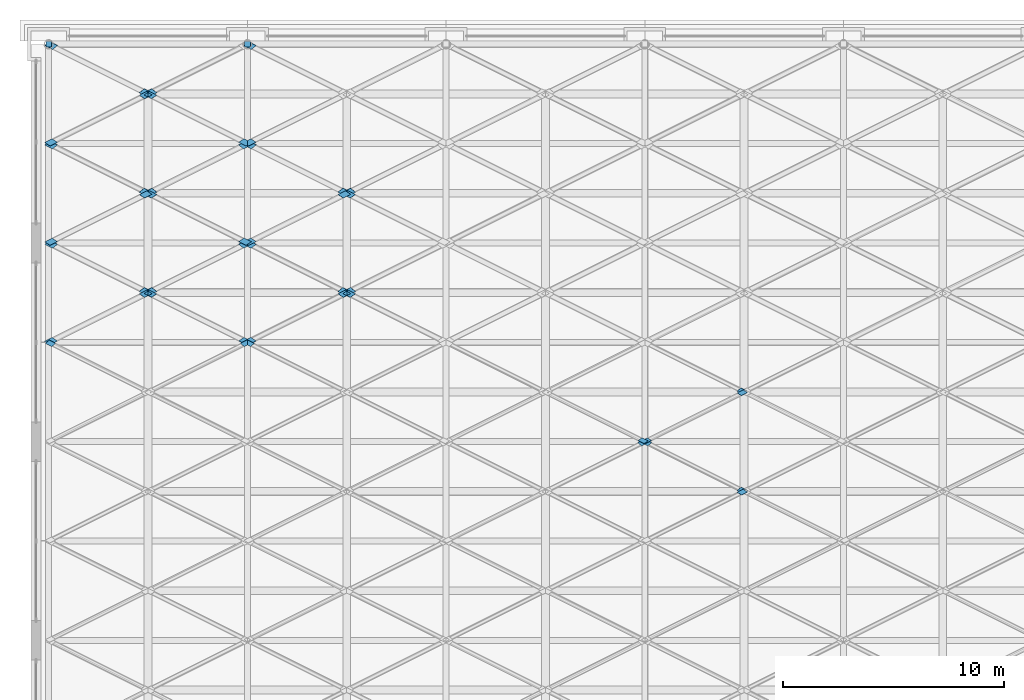
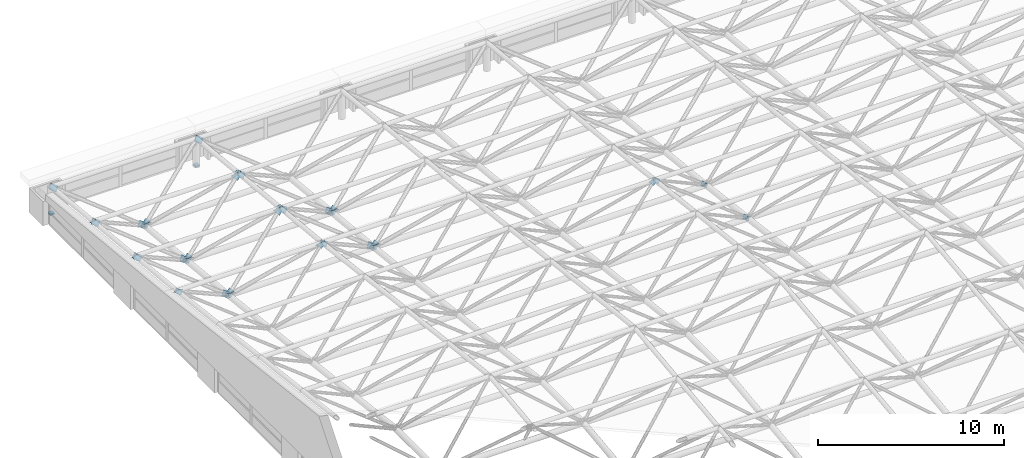
# One storey, part 37 of 53: 50 discrete accessories.
"""IFC4 building model written with IfcOpenShell, lengths in metres."""

from ifc_helpers import new_model, si_unit, direction, frame, origin, origin_2d, place, context, subcontext, project, spatial, polyline, rectangle, outline, extrude, material, layer, layer_set, type_object, element, save


model = new_model("IFC4")

# Units and contexts
model_context = context("Model", 3, precision=1e-05, world=origin(), true_north=direction((0.0, 1.0)))
body_context = subcontext(model_context, "Body", "Model", "MODEL_VIEW")
ifc_project = project(units=[si_unit("LENGTHUNIT", "METRE"), si_unit("AREAUNIT", "SQUARE_METRE"), si_unit("VOLUMEUNIT", "CUBIC_METRE"), si_unit("PLANEANGLEUNIT", "RADIAN"), si_unit("MASSUNIT", "GRAM", prefix="KILO")], contexts=[model_context])

# Site, building, storey
site_placement = place(None, origin())
site = spatial("IfcSite", under=ifc_project, at=site_placement, CompositionType="ELEMENT")
building_placement = place(site_placement, origin())
building = spatial("IfcBuilding", under=site, at=building_placement, Name="Aravalli Gate Trade Fair Centre", CompositionType="ELEMENT")
storey_placement = place(building_placement, frame((0.0, 0.0, 25.199951171875)))
storey = spatial("IfcBuildingStorey", under=building, at=storey_placement, Name="ROOF LEVEL 2", CompositionType="ELEMENT", Elevation=25.199951171875)

# Discrete accessories
ifc_material = material(Name="Steel E350", Category="steel")
discrete_accessory_type_1 = type_object("IfcDiscreteAccessoryType", Name="Bearing shoe sliding along the vault", PredefinedType="BRACKET", material=ifc_material)
for number, where, z_axis, x_axis, name in (
    (1, (6.0, 109.0, 0.0), (0.0, 0.0, 1.0), (1.0, 0.0, 0.0), "Bearing shoe H1 (sliding)"),
    (2, (15.0, 109.0, 0.0), (0.0, 0.0, 1.0), (1.0, 0.0, 0.0), "Bearing shoe H2 (sliding)"),
):
    element("IfcDiscreteAccessory", number, at=place(storey_placement, frame(where, z_axis=z_axis, x_axis=x_axis)), inside=storey, type_object=discrete_accessory_type_1, Name=name, PredefinedType="BRACKET", context=body_context, shape_type="SweptSolid", body=[
        extrude(rectangle(XDim=0.260009765625, YDim=0.260009765625, at=origin_2d()), origin(), (0.0, 0.0, 1.0), 0.10009765625),
    ])
ifc_layer_1 = layer(ifc_material, 0.011962890625)
ifc_layer_set_1 = layer_set([ifc_layer_1], Name="Steel E350")
discrete_accessory_type_2 = type_object("IfcDiscreteAccessoryType", Name="Gusset plate 291 x 291 x 12", PredefinedType="USERDEFINED", material=ifc_layer_set_1)
discrete_accessory_1_placement = place(storey_placement, frame((37.18603515625, 88.707763671875, 1.047119140625), z_axis=(-0.000356491483, 0.824386555112, 0.566027102411), x_axis=(0.749660046124, 0.374830119882, -0.545446786108)))
element("IfcDiscreteAccessory", 3, at=discrete_accessory_1_placement, inside=storey, type_object=discrete_accessory_type_2, Name="Gusset plate Space frame web diagonal D5A end B", ObjectType="GUSSET PLATE", PredefinedType="USERDEFINED", context=body_context, shape_type="SweptSolid", body=[
    extrude(outline(polyline([(0.0, 0.0), (0.37061069570280314, 0.0), (0.3704262257769532, -0.2905262593825685), (-1.4474536517566916e-06, -0.29068783726431885), (0.0, 0.0)])), origin(), (0.0, 0.0, -1.0), 0.011962890625),
])
discrete_accessory_2_placement = place(storey_placement, frame((33.12158203125, 91.175537109375, 3.455078125), z_axis=(-5.9235462e-05, 0.824355565608, 0.566072343383), x_axis=(-0.74910175115, -0.37503400761, 0.546073309694)))
element("IfcDiscreteAccessory", 4, at=discrete_accessory_2_placement, inside=storey, type_object=discrete_accessory_type_2, Name="Gusset plate Space frame web diagonal D5A end A", ObjectType="GUSSET PLATE", PredefinedType="USERDEFINED", context=body_context, shape_type="SweptSolid", body=[
    extrude(outline(polyline([(0.0, 0.0), (0.37056099002046733, 1.3877787807814457e-17), (0.3708571273038952, 0.29037522366126584), (0.00024656979283793623, 0.29068772448272373), (0.0, 0.0)])), origin(), (0.0, 0.0, -1.0), 0.011962890625),
])
discrete_accessory_3_placement = place(storey_placement, frame((37.18603515625, 93.207763671875, 0.4970703125), z_axis=(-0.000338926475, 0.824215745649, 0.566275807141), x_axis=(0.749929468437, 0.374811008577, -0.545089442403)))
element("IfcDiscreteAccessory", 5, at=discrete_accessory_3_placement, inside=storey, type_object=discrete_accessory_type_2, Name="Gusset plate Space frame web diagonal D5A end B", ObjectType="GUSSET PLATE", PredefinedType="USERDEFINED", context=body_context, shape_type="SweptSolid", body=[
    extrude(outline(polyline([(0.0, 0.0), (0.3704775800363668, -1.3877787807814457e-17), (0.37054452148215117, -0.29037536695413646), (0.00011695121776518491, -0.29068780553250784), (0.0, 0.0)])), origin(), (0.0, 0.0, -1.0), 0.011962890625),
])
discrete_accessory_4_placement = place(storey_placement, frame((32.68603515625, 91.05224609375, 3.634765625), z_axis=(5.9235462e-05, 0.824355565608, 0.566072343383), x_axis=(0.749660070237, -0.374676343996, 0.545552395598)))
element("IfcDiscreteAccessory", 6, at=discrete_accessory_4_placement, inside=storey, type_object=discrete_accessory_type_2, Name="Gusset plate Space frame web diagonal D5B end A", ObjectType="GUSSET PLATE", PredefinedType="USERDEFINED", context=body_context, shape_type="SweptSolid", body=[
    extrude(outline(polyline([(0.0, 0.0), (0.3706106892622231, 1.3877787807814457e-17), (0.3705593979521325, 0.2903753701380719), (-1.4603348369723879e-06, 0.29068782905287593), (0.0, 0.0)])), origin(), (0.0, 0.0, -1.0), 0.011962890625),
])
discrete_accessory_5_placement = place(storey_placement, frame((33.138916015625, 90.808349609375, 3.477294921875), z_axis=(-6.9765199e-05, -0.771154883137, 0.636647580178), x_axis=(-0.786484474244, 0.393242254842, 0.476238071536)))
element("IfcDiscreteAccessory", 7, at=discrete_accessory_5_placement, inside=storey, type_object=discrete_accessory_type_2, Name="Gusset plate Space frame web diagonal D5C end A", ObjectType="GUSSET PLATE", PredefinedType="USERDEFINED", context=body_context, shape_type="SweptSolid", body=[
    extrude(outline(polyline([(0.0, 0.0), (0.37064165383501635, 1.3877787807814457e-17), (0.3706783195979393, -0.29059144692340316), (0.00022867857401766278, -0.2904406632211646), (0.0, 0.0)])), origin(), (0.0, 0.0, -1.0), 0.011962890625),
])
discrete_accessory_6_placement = place(storey_placement, frame((37.181884765625, 88.786865234375, 1.029052734375), z_axis=(-6.9765199e-05, -0.771154883137, 0.636647580178), x_axis=(0.786233023991, -0.393446013556, -0.476484906794)))
element("IfcDiscreteAccessory", 8, at=discrete_accessory_6_placement, inside=storey, type_object=discrete_accessory_type_2, Name="Gusset plate Space frame web diagonal D5C end B", ObjectType="GUSSET PLATE", PredefinedType="USERDEFINED", context=body_context, shape_type="SweptSolid", body=[
    extrude(outline(polyline([(0.0, 0.0), (0.37044967171058096, 2.7755575615628914e-17), (0.3702947268495056, 0.290591407927876), (-0.0003468962829482891, 0.29044054608337494), (0.0, 0.0)])), origin(), (0.0, 0.0, -1.0), 0.011962890625),
])
for number, where, z_axis, x_axis, name in (
    (9, (6.138916015625, 95.308349609375, 2.92724609375), (-6.9765199e-05, -0.771154883137, 0.636647580178), (-0.786484474244, 0.393242254842, 0.476238071536), "Gusset plate Space frame web diagonal D5C end A"),
    (10, (15.138916015625, 95.308349609375, 2.92724609375), (-6.9765199e-05, -0.771154883137, 0.636647580178), (-0.786484474244, 0.393242254842, 0.476238071536), "Gusset plate Space frame web diagonal D5C end A"),
):
    element("IfcDiscreteAccessory", number, at=place(storey_placement, frame(where, z_axis=z_axis, x_axis=x_axis)), inside=storey, type_object=discrete_accessory_type_2, Name=name, ObjectType="GUSSET PLATE", PredefinedType="USERDEFINED", context=body_context, shape_type="SweptSolid", body=[
        extrude(outline(polyline([(0.0, 0.0), (0.37064165383501635, 1.3877787807814457e-17), (0.3706783195979393, -0.29059144692340316), (0.00022867857401766278, -0.2904406632211646), (0.0, 0.0)])), origin(), (0.0, 0.0, -1.0), 0.011962890625),
    ])
discrete_accessory_7_placement = place(storey_placement, frame((37.181884765625, 93.286865234375, 0.479248046875), z_axis=(0.000260921892, -0.770886805608, 0.636972106814), x_axis=(0.786233024012, -0.393446097564, -0.476484837392)))
element("IfcDiscreteAccessory", 11, at=discrete_accessory_7_placement, inside=storey, type_object=discrete_accessory_type_2, Name="Gusset plate Space frame web diagonal D5C end B", ObjectType="GUSSET PLATE", PredefinedType="USERDEFINED", context=body_context, shape_type="SweptSolid", body=[
    extrude(outline(polyline([(0.0, 0.0), (0.3704496717105797, 1.3877787807814457e-17), (0.37041105616888137, 0.29044341854454775), (-0.00023056696357631745, 0.2902925567125407), (0.0, 0.0)])), origin(), (0.0, 0.0, -1.0), 0.011962890625),
])
for number, where, z_axis, x_axis, name in (
    (12, (32.681884765625, 90.953857421875, 3.653564453125), (6.9765199e-05, -0.771154883137, 0.636647580178), (0.786233023991, 0.393446013556, 0.476484906794), "Gusset plate Space frame web diagonal D5D end A"),
    (13, (14.681884765625, 95.453857421875, 3.103515625), (6.9765199e-05, -0.771154883137, 0.636647580178), (0.786233023991, 0.393446013556, 0.476484906794), "Gusset plate Space frame web diagonal D5D end A"),
):
    element("IfcDiscreteAccessory", number, at=place(storey_placement, frame(where, z_axis=z_axis, x_axis=x_axis)), inside=storey, type_object=discrete_accessory_type_2, Name=name, ObjectType="GUSSET PLATE", PredefinedType="USERDEFINED", context=body_context, shape_type="SweptSolid", body=[
        extrude(outline(polyline([(0.0, 0.0), (0.37044967171058096, -2.7755575615628914e-17), (0.3702947268495056, -0.290591407927876), (-0.0003468962829482891, -0.29044054608337494), (0.0, 0.0)])), origin(), (0.0, 0.0, -1.0), 0.011962890625),
    ])
ifc_layer_2 = layer(ifc_material, 0.011962890625)
ifc_layer_set_2 = layer_set([ifc_layer_2], Name="Steel E350")
discrete_accessory_type_3 = type_object("IfcDiscreteAccessoryType", Name="Gusset plate 367 x 367 x 12", PredefinedType="USERDEFINED", material=ifc_layer_set_2)
discrete_accessory_8_placement = place(storey_placement, frame((6.155517578125, 95.721923828125, 2.84228515625), z_axis=(-5.6748583e-05, 0.820281851296, 0.571959510117), x_axis=(-0.752910033129, -0.376455016564, 0.539822287904)))
element("IfcDiscreteAccessory", 14, at=discrete_accessory_8_placement, inside=storey, type_object=discrete_accessory_type_3, Name="Gusset plate Space frame web diagonal D6A end A", ObjectType="GUSSET PLATE", PredefinedType="USERDEFINED", context=body_context, shape_type="SweptSolid", body=[
    extrude(outline(polyline([(0.0, 0.0), (0.44683397278152426, -2.7755575615628914e-17), (0.44699177701993154, 0.3666937395408909), (0.0001578042384072914, 0.3666937395408909), (0.0, 0.0)])), origin(), (0.0, 0.0, -1.0), 0.011962890625),
])
discrete_accessory_9_placement = place(storey_placement, frame((10.103271484375, 97.69580078125, 0.01318359375), z_axis=(-5.6748583e-05, 0.820281851296, 0.571959510117), x_axis=(0.752910033129, 0.376455016564, -0.539822287904)))
element("IfcDiscreteAccessory", 15, at=discrete_accessory_9_placement, inside=storey, type_object=discrete_accessory_type_3, Name="Gusset plate Space frame web diagonal D6A end B", ObjectType="GUSSET PLATE", PredefinedType="USERDEFINED", context=body_context, shape_type="SweptSolid", body=[
    extrude(outline(polyline([(0.0, 0.0), (0.44683397278152426, -2.7755575615628914e-17), (0.446676168543117, -0.36669373954089096), (-0.0001578042384072914, -0.3666937395408909), (0.0, 0.0)])), origin(), (0.0, 0.0, -1.0), 0.011962890625),
])
discrete_accessory_10_placement = place(storey_placement, frame((15.155517578125, 95.721923828125, 2.84228515625), z_axis=(-5.6748583e-05, 0.820281851296, 0.571959510117), x_axis=(-0.752910033129, -0.376455016564, 0.539822287904)))
element("IfcDiscreteAccessory", 16, at=discrete_accessory_10_placement, inside=storey, type_object=discrete_accessory_type_3, Name="Gusset plate Space frame web diagonal D6A end A", ObjectType="GUSSET PLATE", PredefinedType="USERDEFINED", context=body_context, shape_type="SweptSolid", body=[
    extrude(outline(polyline([(0.0, 0.0), (0.44683397278152426, -2.7755575615628914e-17), (0.44699177701993154, 0.3666937395408909), (0.0001578042384072914, 0.3666937395408909), (0.0, 0.0)])), origin(), (0.0, 0.0, -1.0), 0.011962890625),
])
discrete_accessory_11_placement = place(storey_placement, frame((19.103271484375, 97.69580078125, 0.01318359375), z_axis=(-5.6748583e-05, 0.820281851296, 0.571959510117), x_axis=(0.752910033129, 0.376455016564, -0.539822287904)))
element("IfcDiscreteAccessory", 17, at=discrete_accessory_11_placement, inside=storey, type_object=discrete_accessory_type_3, Name="Gusset plate Space frame web diagonal D6A end B", ObjectType="GUSSET PLATE", PredefinedType="USERDEFINED", context=body_context, shape_type="SweptSolid", body=[
    extrude(outline(polyline([(0.0, 0.0), (0.44683397278152426, -2.7755575615628914e-17), (0.446676168543117, -0.36669373954089096), (-0.0001578042384072914, -0.3666937395408909), (0.0, 0.0)])), origin(), (0.0, 0.0, -1.0), 0.011962890625),
])
discrete_accessory_12_placement = place(storey_placement, frame((6.155517578125, 100.221923828125, 2.392333984375), z_axis=(-4.9126691e-05, 0.820140995503, 0.572161467667), x_axis=(-0.752910034648, -0.376583216139, 0.539732860821)))
element("IfcDiscreteAccessory", 18, at=discrete_accessory_12_placement, inside=storey, type_object=discrete_accessory_type_3, Name="Gusset plate Space frame web diagonal D6A end A", ObjectType="GUSSET PLATE", PredefinedType="USERDEFINED", context=body_context, shape_type="SweptSolid", body=[
    extrude(outline(polyline([(0.0, 0.0), (0.4468339673229258, 0.0), (0.4468599899280901, 0.36654297340046177), (0.00015779332313807515, 0.366693732894023), (0.0, 0.0)])), origin(), (0.0, 0.0, -1.0), 0.011962890625),
])
discrete_accessory_13_placement = place(storey_placement, frame((10.103271484375, 102.19580078125, -0.436767578125), z_axis=(-4.9126691e-05, 0.820140995503, 0.572161467667), x_axis=(0.752910034648, 0.376583216139, -0.539732860821)))
element("IfcDiscreteAccessory", 19, at=discrete_accessory_13_placement, inside=storey, type_object=discrete_accessory_type_3, Name="Gusset plate Space frame web diagonal D6A end B", ObjectType="GUSSET PLATE", PredefinedType="USERDEFINED", context=body_context, shape_type="SweptSolid", body=[
    extrude(outline(polyline([(0.0, 0.0), (0.4468339673229258, 0.0), (0.44667617399978776, -0.366693732894023), (-2.6022605164321977e-05, -0.3665429734004617), (0.0, 0.0)])), origin(), (0.0, 0.0, -1.0), 0.011962890625),
])
discrete_accessory_14_placement = place(storey_placement, frame((15.155517578125, 100.221923828125, 2.392333984375), z_axis=(-4.9126691e-05, 0.820140995503, 0.572161467667), x_axis=(-0.752910034648, -0.376583216139, 0.539732860821)))
element("IfcDiscreteAccessory", 20, at=discrete_accessory_14_placement, inside=storey, type_object=discrete_accessory_type_3, Name="Gusset plate Space frame web diagonal D6A end A", ObjectType="GUSSET PLATE", PredefinedType="USERDEFINED", context=body_context, shape_type="SweptSolid", body=[
    extrude(outline(polyline([(0.0, 0.0), (0.4468339673229258, 0.0), (0.4468599899280901, 0.36654297340046177), (0.00015779332313807515, 0.366693732894023), (0.0, 0.0)])), origin(), (0.0, 0.0, -1.0), 0.011962890625),
])
discrete_accessory_15_placement = place(storey_placement, frame((19.103271484375, 102.19580078125, -0.436767578125), z_axis=(-4.9126691e-05, 0.820140995503, 0.572161467667), x_axis=(0.752910034648, 0.376583216139, -0.539732860821)))
element("IfcDiscreteAccessory", 21, at=discrete_accessory_15_placement, inside=storey, type_object=discrete_accessory_type_3, Name="Gusset plate Space frame web diagonal D6A end B", ObjectType="GUSSET PLATE", PredefinedType="USERDEFINED", context=body_context, shape_type="SweptSolid", body=[
    extrude(outline(polyline([(0.0, 0.0), (0.4468339673229258, 0.0), (0.44667617399978776, -0.366693732894023), (-2.6022605164321977e-05, -0.3665429734004617), (0.0, 0.0)])), origin(), (0.0, 0.0, -1.0), 0.011962890625),
])
discrete_accessory_16_placement = place(storey_placement, frame((6.155517578125, 104.721923828125, 1.9423828125), z_axis=(-0.000292195819, 0.820164189793, 0.572128146837), x_axis=(-0.753132087854, -0.376566043927, 0.539434956975)))
element("IfcDiscreteAccessory", 22, at=discrete_accessory_16_placement, inside=storey, type_object=discrete_accessory_type_3, Name="Gusset plate Space frame web diagonal D6A end A", ObjectType="GUSSET PLATE", PredefinedType="USERDEFINED", context=body_context, shape_type="SweptSolid", body=[
    extrude(outline(polyline([(0.0, 0.0), (0.4467022275054028, 2.7755575615628914e-17), (0.4467362528213333, 0.36669377191730207), (3.402531593046931e-05, 0.366693771917302), (0.0, 0.0)])), origin(), (0.0, 0.0, -1.0), 0.011962890625),
])
discrete_accessory_17_placement = place(storey_placement, frame((10.103271484375, 106.69580078125, -0.886962890625), z_axis=(-0.000292195819, 0.820164189793, 0.572128146837), x_axis=(0.753132087854, 0.376566043927, -0.539434956975)))
element("IfcDiscreteAccessory", 23, at=discrete_accessory_17_placement, inside=storey, type_object=discrete_accessory_type_3, Name="Gusset plate Space frame web diagonal D6A end B", ObjectType="GUSSET PLATE", PredefinedType="USERDEFINED", context=body_context, shape_type="SweptSolid", body=[
    extrude(outline(polyline([(0.0, 0.0), (0.4467022275054028, 2.7755575615628914e-17), (0.4466682021894723, -0.366693771917302), (-3.402531593046931e-05, -0.366693771917302), (0.0, 0.0)])), origin(), (0.0, 0.0, -1.0), 0.011962890625),
])
discrete_accessory_18_placement = place(storey_placement, frame((15.155517578125, 104.721923828125, 1.9423828125), z_axis=(-0.000292195819, 0.820164189793, 0.572128146837), x_axis=(-0.753132087854, -0.376566043927, 0.539434956975)))
element("IfcDiscreteAccessory", 24, at=discrete_accessory_18_placement, inside=storey, type_object=discrete_accessory_type_3, Name="Gusset plate Space frame web diagonal D6A end A", ObjectType="GUSSET PLATE", PredefinedType="USERDEFINED", context=body_context, shape_type="SweptSolid", body=[
    extrude(outline(polyline([(0.0, 0.0), (0.4467022275054028, 2.7755575615628914e-17), (0.4467362528213333, 0.36669377191730207), (3.402531593046931e-05, 0.366693771917302), (0.0, 0.0)])), origin(), (0.0, 0.0, -1.0), 0.011962890625),
])
discrete_accessory_19_placement = place(storey_placement, frame((14.603271484375, 95.56396484375, 3.06884765625), z_axis=(5.6748583e-05, 0.820281851296, 0.571959510117), x_axis=(0.752910033129, -0.376455016564, 0.539822287904)))
element("IfcDiscreteAccessory", 25, at=discrete_accessory_19_placement, inside=storey, type_object=discrete_accessory_type_3, Name="Gusset plate Space frame web diagonal D6B end A", ObjectType="GUSSET PLATE", PredefinedType="USERDEFINED", context=body_context, shape_type="SweptSolid", body=[
    extrude(outline(polyline([(0.0, 0.0), (0.44683397278152426, 2.7755575615628914e-17), (0.446676168543117, 0.36669373954089096), (-0.0001578042384072914, 0.3666937395408909), (0.0, 0.0)])), origin(), (0.0, 0.0, -1.0), 0.011962890625),
])
for number, where, z_axis, x_axis, name in (
    (26, (10.655517578125, 97.537841796875, 0.23974609375), (5.6748583e-05, 0.820281851296, 0.571959510117), (-0.752910033129, 0.376455016564, -0.539822287904), "Gusset plate Space frame web diagonal D6B end B"),
    (27, (19.655517578125, 97.537841796875, 0.23974609375), (5.6748583e-05, 0.820281851296, 0.571959510117), (-0.752910033129, 0.376455016564, -0.539822287904), "Gusset plate Space frame web diagonal D6B end B"),
):
    element("IfcDiscreteAccessory", number, at=place(storey_placement, frame(where, z_axis=z_axis, x_axis=x_axis)), inside=storey, type_object=discrete_accessory_type_3, Name=name, ObjectType="GUSSET PLATE", PredefinedType="USERDEFINED", context=body_context, shape_type="SweptSolid", body=[
        extrude(outline(polyline([(0.0, 0.0), (0.44683397278152426, 2.7755575615628914e-17), (0.44699177701993154, -0.3666937395408909), (0.0001578042384072914, -0.3666937395408909), (0.0, 0.0)])), origin(), (0.0, 0.0, -1.0), 0.011962890625),
    ])
discrete_accessory_20_placement = place(storey_placement, frame((14.603271484375, 100.06396484375, 2.618896484375), z_axis=(4.9126691e-05, 0.820140995503, 0.572161467667), x_axis=(0.753132104741, -0.376437815746, 0.539524423623)))
element("IfcDiscreteAccessory", 28, at=discrete_accessory_20_placement, inside=storey, type_object=discrete_accessory_type_3, Name="Gusset plate Space frame web diagonal D6B end A", ObjectType="GUSSET PLATE", PredefinedType="USERDEFINED", context=body_context, shape_type="SweptSolid", body=[
    extrude(outline(polyline([(0.0, 0.0), (0.4467022220451944, 0.0), (0.44679990563841726, 0.3665429613078707), (-3.4036236763179684e-05, 0.3666937652647241), (0.0, 0.0)])), origin(), (0.0, 0.0, -1.0), 0.011962890625),
])
for number, where, z_axis, x_axis, name in (
    (29, (10.655517578125, 102.037841796875, -0.21044921875), (4.9126691e-05, 0.820140995503, 0.572161467667), (-0.753132104741, 0.376437815746, -0.539524423623), "Gusset plate Space frame web diagonal D6B end B"),
    (30, (19.655517578125, 102.037841796875, -0.21044921875), (4.9126691e-05, 0.820140995503, 0.572161467667), (-0.753132104741, 0.376437815746, -0.539524423623), "Gusset plate Space frame web diagonal D6B end B"),
):
    element("IfcDiscreteAccessory", number, at=place(storey_placement, frame(where, z_axis=z_axis, x_axis=x_axis)), inside=storey, type_object=discrete_accessory_type_3, Name=name, ObjectType="GUSSET PLATE", PredefinedType="USERDEFINED", context=body_context, shape_type="SweptSolid", body=[
        extrude(outline(polyline([(0.0, 0.0), (0.4467022220451944, 0.0), (0.44673625828195757, -0.3666937652647241), (-9.768359322287479e-05, -0.3665429613078708), (0.0, 0.0)])), origin(), (0.0, 0.0, -1.0), 0.011962890625),
    ])
discrete_accessory_21_placement = place(storey_placement, frame((14.603271484375, 104.56396484375, 2.1689453125), z_axis=(0.000292195819, 0.820164189793, 0.572128146837), x_axis=(0.753132087854, -0.376566043927, 0.539434956975)))
element("IfcDiscreteAccessory", 31, at=discrete_accessory_21_placement, inside=storey, type_object=discrete_accessory_type_3, Name="Gusset plate Space frame web diagonal D6B end A", ObjectType="GUSSET PLATE", PredefinedType="USERDEFINED", context=body_context, shape_type="SweptSolid", body=[
    extrude(outline(polyline([(0.0, 0.0), (0.4467022275054028, -2.7755575615628914e-17), (0.4466682021894723, 0.366693771917302), (-3.402531593046931e-05, 0.366693771917302), (0.0, 0.0)])), origin(), (0.0, 0.0, -1.0), 0.011962890625),
])
discrete_accessory_22_placement = place(storey_placement, frame((10.655517578125, 106.537841796875, -0.660400390625), z_axis=(0.000292195819, 0.820164189793, 0.572128146837), x_axis=(-0.753132087854, 0.376566043927, -0.539434956975)))
element("IfcDiscreteAccessory", 32, at=discrete_accessory_22_placement, inside=storey, type_object=discrete_accessory_type_3, Name="Gusset plate Space frame web diagonal D6B end B", ObjectType="GUSSET PLATE", PredefinedType="USERDEFINED", context=body_context, shape_type="SweptSolid", body=[
    extrude(outline(polyline([(0.0, 0.0), (0.4467022275054028, -2.7755575615628914e-17), (0.4467362528213333, -0.36669377191730207), (3.402531593046931e-05, -0.366693771917302), (0.0, 0.0)])), origin(), (0.0, 0.0, -1.0), 0.011962890625),
])
discrete_accessory_23_placement = place(storey_placement, frame((6.173095703125, 99.76123046875, 2.4150390625), z_axis=(-0.000106895173, -0.77673595722, 0.629826358082), x_axis=(-0.783044443413, 0.391795440284, 0.483050445204)))
element("IfcDiscreteAccessory", 33, at=discrete_accessory_23_placement, inside=storey, type_object=discrete_accessory_type_3, Name="Gusset plate Space frame web diagonal D6C end A", ObjectType="GUSSET PLATE", PredefinedType="USERDEFINED", context=body_context, shape_type="SweptSolid", body=[
    extrude(outline(polyline([(0.0, 0.0), (0.4467862821424865, 0.0), (0.4467086389724838, -0.36691841645657763), (-7.764317000273635e-05, -0.36691841645657763), (0.0, 0.0)])), origin(), (0.0, 0.0, -1.0), 0.011962890625),
])
discrete_accessory_24_placement = place(storey_placement, frame((10.0986328125, 97.798583984375, -0.005615234375), z_axis=(-0.000106895173, -0.77673595722, 0.629826358082), x_axis=(0.783044443413, -0.391795440284, -0.483050445204)))
element("IfcDiscreteAccessory", 34, at=discrete_accessory_24_placement, inside=storey, type_object=discrete_accessory_type_3, Name="Gusset plate Space frame web diagonal D6C end B", ObjectType="GUSSET PLATE", PredefinedType="USERDEFINED", context=body_context, shape_type="SweptSolid", body=[
    extrude(outline(polyline([(0.0, 0.0), (0.4467862821424865, 0.0), (0.4468639253124893, 0.3669184164565776), (7.764317000273635e-05, 0.36691841645657763), (0.0, 0.0)])), origin(), (0.0, 0.0, -1.0), 0.011962890625),
])
discrete_accessory_25_placement = place(storey_placement, frame((15.173095703125, 99.76123046875, 2.4150390625), z_axis=(-0.000106895173, -0.77673595722, 0.629826358082), x_axis=(-0.783044443413, 0.391795440284, 0.483050445204)))
element("IfcDiscreteAccessory", 35, at=discrete_accessory_25_placement, inside=storey, type_object=discrete_accessory_type_3, Name="Gusset plate Space frame web diagonal D6C end A", ObjectType="GUSSET PLATE", PredefinedType="USERDEFINED", context=body_context, shape_type="SweptSolid", body=[
    extrude(outline(polyline([(0.0, 0.0), (0.4467862821424865, 0.0), (0.4467086389724838, -0.36691841645657763), (-7.764317000273635e-05, -0.36691841645657763), (0.0, 0.0)])), origin(), (0.0, 0.0, -1.0), 0.011962890625),
])
discrete_accessory_26_placement = place(storey_placement, frame((19.0986328125, 97.798583984375, -0.005615234375), z_axis=(-0.000106895173, -0.77673595722, 0.629826358082), x_axis=(0.783044443413, -0.391795440284, -0.483050445204)))
element("IfcDiscreteAccessory", 36, at=discrete_accessory_26_placement, inside=storey, type_object=discrete_accessory_type_3, Name="Gusset plate Space frame web diagonal D6C end B", ObjectType="GUSSET PLATE", PredefinedType="USERDEFINED", context=body_context, shape_type="SweptSolid", body=[
    extrude(outline(polyline([(0.0, 0.0), (0.4467862821424865, 0.0), (0.4468639253124893, 0.3669184164565776), (7.764317000273635e-05, 0.36691841645657763), (0.0, 0.0)])), origin(), (0.0, 0.0, -1.0), 0.011962890625),
])
discrete_accessory_27_placement = place(storey_placement, frame((6.173095703125, 104.26123046875, 1.965087890625), z_axis=(-0.000106895173, -0.77673595722, 0.629826358082), x_axis=(-0.783044443413, 0.391795440284, 0.483050445204)))
element("IfcDiscreteAccessory", 37, at=discrete_accessory_27_placement, inside=storey, type_object=discrete_accessory_type_3, Name="Gusset plate Space frame web diagonal D6C end A", ObjectType="GUSSET PLATE", PredefinedType="USERDEFINED", context=body_context, shape_type="SweptSolid", body=[
    extrude(outline(polyline([(0.0, 0.0), (0.4467862821424865, 0.0), (0.4467086389724838, -0.36691841645657763), (-7.764317000273635e-05, -0.36691841645657763), (0.0, 0.0)])), origin(), (0.0, 0.0, -1.0), 0.011962890625),
])
discrete_accessory_28_placement = place(storey_placement, frame((10.0986328125, 102.298583984375, -0.45556640625), z_axis=(-0.000106895173, -0.77673595722, 0.629826358082), x_axis=(0.783044443413, -0.391795440284, -0.483050445204)))
element("IfcDiscreteAccessory", 38, at=discrete_accessory_28_placement, inside=storey, type_object=discrete_accessory_type_3, Name="Gusset plate Space frame web diagonal D6C end B", ObjectType="GUSSET PLATE", PredefinedType="USERDEFINED", context=body_context, shape_type="SweptSolid", body=[
    extrude(outline(polyline([(0.0, 0.0), (0.4467862821424865, 0.0), (0.4468639253124893, 0.3669184164565776), (7.764317000273635e-05, 0.36691841645657763), (0.0, 0.0)])), origin(), (0.0, 0.0, -1.0), 0.011962890625),
])
discrete_accessory_29_placement = place(storey_placement, frame((15.173095703125, 104.26123046875, 1.965087890625), z_axis=(-0.000106895173, -0.77673595722, 0.629826358082), x_axis=(-0.783044443413, 0.391795440284, 0.483050445204)))
element("IfcDiscreteAccessory", 39, at=discrete_accessory_29_placement, inside=storey, type_object=discrete_accessory_type_3, Name="Gusset plate Space frame web diagonal D6C end A", ObjectType="GUSSET PLATE", PredefinedType="USERDEFINED", context=body_context, shape_type="SweptSolid", body=[
    extrude(outline(polyline([(0.0, 0.0), (0.4467862821424865, 0.0), (0.4467086389724838, -0.36691841645657763), (-7.764317000273635e-05, -0.36691841645657763), (0.0, 0.0)])), origin(), (0.0, 0.0, -1.0), 0.011962890625),
])
discrete_accessory_30_placement = place(storey_placement, frame((19.0986328125, 102.298583984375, -0.45556640625), z_axis=(-0.000106895173, -0.77673595722, 0.629826358082), x_axis=(0.783044443413, -0.391795440284, -0.483050445204)))
element("IfcDiscreteAccessory", 40, at=discrete_accessory_30_placement, inside=storey, type_object=discrete_accessory_type_3, Name="Gusset plate Space frame web diagonal D6C end B", ObjectType="GUSSET PLATE", PredefinedType="USERDEFINED", context=body_context, shape_type="SweptSolid", body=[
    extrude(outline(polyline([(0.0, 0.0), (0.4467862821424865, 0.0), (0.4468639253124893, 0.3669184164565776), (7.764317000273635e-05, 0.36691841645657763), (0.0, 0.0)])), origin(), (0.0, 0.0, -1.0), 0.011962890625),
])
discrete_accessory_31_placement = place(storey_placement, frame((6.173095703125, 108.76123046875, 1.51513671875), z_axis=(-0.000106895173, -0.77673595722, 0.629826358082), x_axis=(-0.783044443413, 0.391795440284, 0.483050445204)))
element("IfcDiscreteAccessory", 41, at=discrete_accessory_31_placement, inside=storey, type_object=discrete_accessory_type_3, Name="Gusset plate Space frame web diagonal D6C end A", ObjectType="GUSSET PLATE", PredefinedType="USERDEFINED", context=body_context, shape_type="SweptSolid", body=[
    extrude(outline(polyline([(0.0, 0.0), (0.4467862821424865, 0.0), (0.4467086389724838, -0.36691841645657763), (-7.764317000273635e-05, -0.36691841645657763), (0.0, 0.0)])), origin(), (0.0, 0.0, -1.0), 0.011962890625),
])
discrete_accessory_32_placement = place(storey_placement, frame((10.0986328125, 106.798583984375, -0.905517578125), z_axis=(-0.000106895173, -0.77673595722, 0.629826358082), x_axis=(0.783044443413, -0.391795440284, -0.483050445204)))
element("IfcDiscreteAccessory", 42, at=discrete_accessory_32_placement, inside=storey, type_object=discrete_accessory_type_3, Name="Gusset plate Space frame web diagonal D6C end B", ObjectType="GUSSET PLATE", PredefinedType="USERDEFINED", context=body_context, shape_type="SweptSolid", body=[
    extrude(outline(polyline([(0.0, 0.0), (0.4467862821424865, 0.0), (0.4468639253124893, 0.3669184164565776), (7.764317000273635e-05, 0.36691841645657763), (0.0, 0.0)])), origin(), (0.0, 0.0, -1.0), 0.011962890625),
])
discrete_accessory_33_placement = place(storey_placement, frame((15.173095703125, 108.76123046875, 1.51513671875), z_axis=(-0.000106895173, -0.77673595722, 0.629826358082), x_axis=(-0.783044443413, 0.391795440284, 0.483050445204)))
element("IfcDiscreteAccessory", 43, at=discrete_accessory_33_placement, inside=storey, type_object=discrete_accessory_type_3, Name="Gusset plate Space frame web diagonal D6C end A", ObjectType="GUSSET PLATE", PredefinedType="USERDEFINED", context=body_context, shape_type="SweptSolid", body=[
    extrude(outline(polyline([(0.0, 0.0), (0.4467862821424865, 0.0), (0.4467086389724838, -0.36691841645657763), (-7.764317000273635e-05, -0.36691841645657763), (0.0, 0.0)])), origin(), (0.0, 0.0, -1.0), 0.011962890625),
])
discrete_accessory_34_placement = place(storey_placement, frame((14.5986328125, 99.942138671875, 2.63818359375), z_axis=(0.000106895173, -0.77673595722, 0.629826358082), x_axis=(0.783044443413, 0.391795440284, 0.483050445204)))
element("IfcDiscreteAccessory", 44, at=discrete_accessory_34_placement, inside=storey, type_object=discrete_accessory_type_3, Name="Gusset plate Space frame web diagonal D6D end A", ObjectType="GUSSET PLATE", PredefinedType="USERDEFINED", context=body_context, shape_type="SweptSolid", body=[
    extrude(outline(polyline([(0.0, 0.0), (0.4467862821424865, 0.0), (0.4468639253124893, -0.3669184164565776), (7.764317000273635e-05, -0.36691841645657763), (0.0, 0.0)])), origin(), (0.0, 0.0, -1.0), 0.011962890625),
])
for number, where, z_axis, x_axis, name in (
    (45, (10.673095703125, 97.9794921875, 0.217529296875), (0.000106895173, -0.77673595722, 0.629826358082), (-0.783044443413, -0.391795440284, -0.483050445204), "Gusset plate Space frame web diagonal D6D end B"),
    (46, (19.673095703125, 97.9794921875, 0.217529296875), (0.000106895173, -0.77673595722, 0.629826358082), (-0.783044443413, -0.391795440284, -0.483050445204), "Gusset plate Space frame web diagonal D6D end B"),
):
    element("IfcDiscreteAccessory", number, at=place(storey_placement, frame(where, z_axis=z_axis, x_axis=x_axis)), inside=storey, type_object=discrete_accessory_type_3, Name=name, ObjectType="GUSSET PLATE", PredefinedType="USERDEFINED", context=body_context, shape_type="SweptSolid", body=[
        extrude(outline(polyline([(0.0, 0.0), (0.4467862821424865, 0.0), (0.4467086389724838, 0.36691841645657763), (-7.764317000273635e-05, 0.36691841645657763), (0.0, 0.0)])), origin(), (0.0, 0.0, -1.0), 0.011962890625),
    ])
discrete_accessory_35_placement = place(storey_placement, frame((14.5986328125, 104.442138671875, 2.188232421875), z_axis=(0.000106895173, -0.77673595722, 0.629826358082), x_axis=(0.783044443413, 0.391795440284, 0.483050445204)))
element("IfcDiscreteAccessory", 47, at=discrete_accessory_35_placement, inside=storey, type_object=discrete_accessory_type_3, Name="Gusset plate Space frame web diagonal D6D end A", ObjectType="GUSSET PLATE", PredefinedType="USERDEFINED", context=body_context, shape_type="SweptSolid", body=[
    extrude(outline(polyline([(0.0, 0.0), (0.4467862821424865, 0.0), (0.4468639253124893, -0.3669184164565776), (7.764317000273635e-05, -0.36691841645657763), (0.0, 0.0)])), origin(), (0.0, 0.0, -1.0), 0.011962890625),
])
for number, where, z_axis, x_axis, name in (
    (48, (10.673095703125, 102.4794921875, -0.232421875), (0.000106895173, -0.77673595722, 0.629826358082), (-0.783044443413, -0.391795440284, -0.483050445204), "Gusset plate Space frame web diagonal D6D end B"),
    (49, (19.673095703125, 102.4794921875, -0.232421875), (0.000106895173, -0.77673595722, 0.629826358082), (-0.783044443413, -0.391795440284, -0.483050445204), "Gusset plate Space frame web diagonal D6D end B"),
    (50, (10.673095703125, 106.9794921875, -0.682373046875), (0.000106895173, -0.77673595722, 0.629826358082), (-0.783044443413, -0.391795440284, -0.483050445204), "Gusset plate Space frame web diagonal D6D end B"),
):
    element("IfcDiscreteAccessory", number, at=place(storey_placement, frame(where, z_axis=z_axis, x_axis=x_axis)), inside=storey, type_object=discrete_accessory_type_3, Name=name, ObjectType="GUSSET PLATE", PredefinedType="USERDEFINED", context=body_context, shape_type="SweptSolid", body=[
        extrude(outline(polyline([(0.0, 0.0), (0.4467862821424865, 0.0), (0.4467086389724838, 0.36691841645657763), (-7.764317000273635e-05, 0.36691841645657763), (0.0, 0.0)])), origin(), (0.0, 0.0, -1.0), 0.011962890625),
    ])

save(model, "model.ifc")
